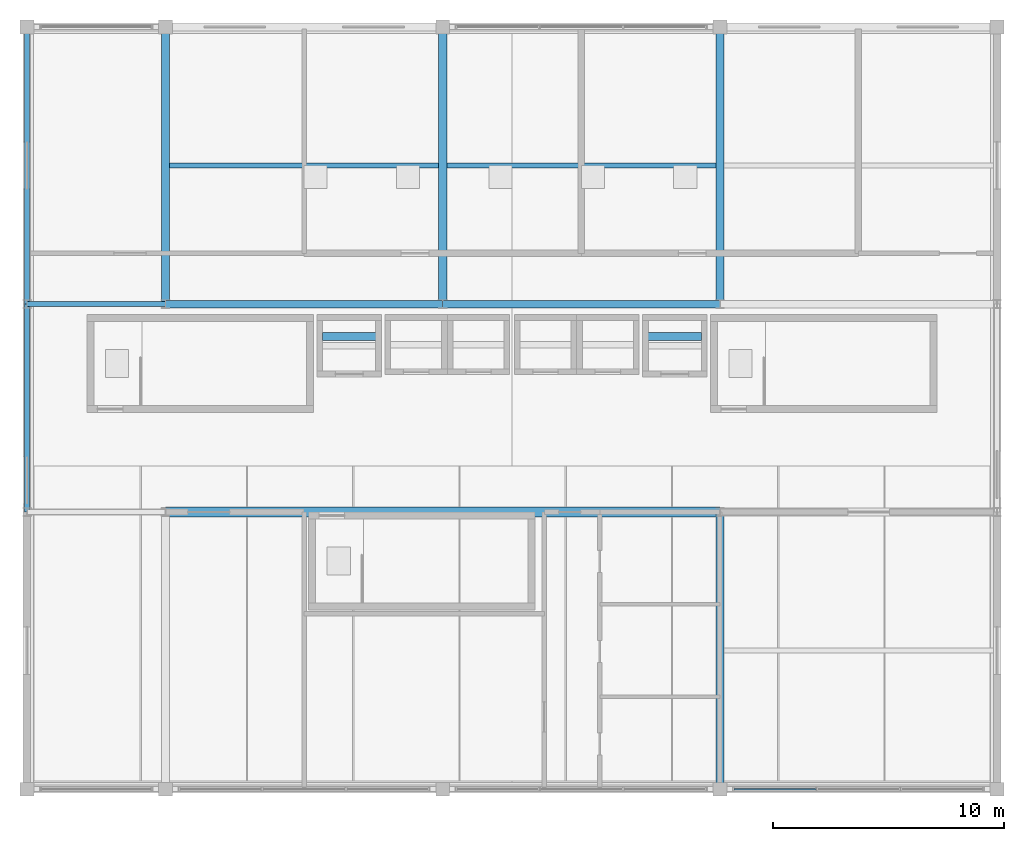
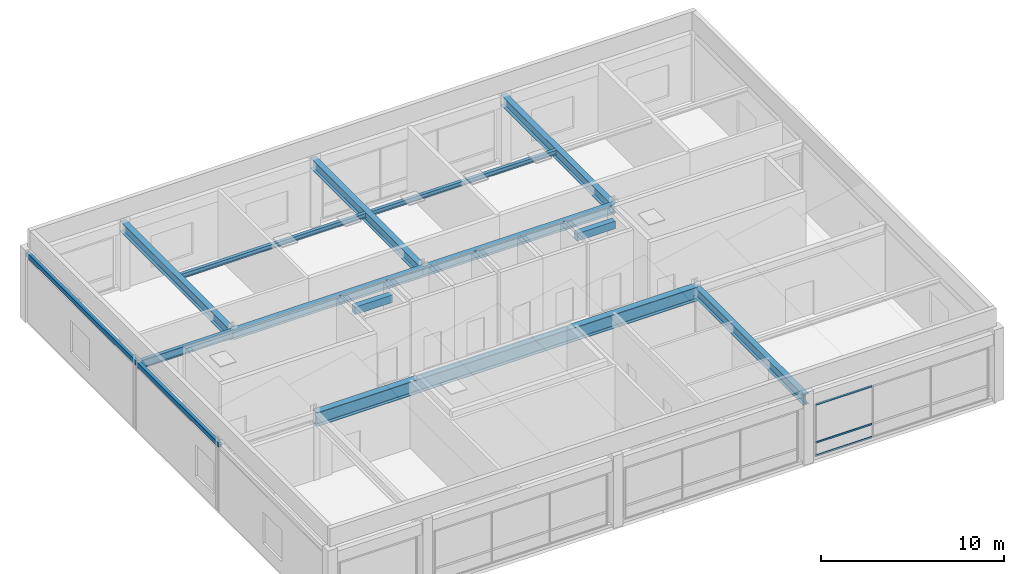
# One storey, part 6 of 16: 14 beams, 3 members, 1 element without a shape of its own.
"""IFC4 building model written with IfcOpenShell, lengths in metres."""

import ifcopenshell
import ifcopenshell.guid

model = None  # the IFC model being written
_history = None  # IfcOwnerHistory: only IFC2X3 demands one
_inside = {}  # id of a spatial element -> (the spatial element, [elements in it])
_under = {}  # id of a project, library or spatial element -> (it, [spatial elements below it])
_declared = {}  # id of a project -> (the project, [libraries it declares])
_typed = {}  # id of a type object -> (the type object, [elements of that type])
_made_of = {}  # id of a material, layer set ... -> (it, [elements and type objects made of it])


def new_model(schema):
    """Start an empty IFC model of exactly this schema.

    Asked for "IFC4X3", IfcOpenShell would pick the latest addendum, in which some entities
    have other attributes; the version numbers below select the first issue.
    IFC2X3 requires an IfcOwnerHistory on every rooted entity: one is made here for all.
    """
    global model, _history
    if schema == "IFC4X3":
        model = ifcopenshell.file(schema_version=(4, 3, 0, 0))
    else:
        model = ifcopenshell.file(schema=schema)
    _inside.clear()
    _under.clear()
    _declared.clear()
    _typed.clear()
    _made_of.clear()
    _history = None
    if model.schema == "IFC2X3":
        org = make("IfcOrganization", Name="unknown")
        user = make(
            "IfcPersonAndOrganization",
            ThePerson=make("IfcPerson", FamilyName="unknown"),
            TheOrganization=org,
        )
        app = make(
            "IfcApplication",
            ApplicationDeveloper=org,
            Version="unknown",
            ApplicationFullName="unknown",
            ApplicationIdentifier="unknown",
        )
        _history = make(
            "IfcOwnerHistory",
            OwningUser=user,
            OwningApplication=app,
            ChangeAction="ADDED",
            CreationDate=0,
        )
    return model


def make(cls, **values):
    """One entity of the class cls with the attributes given. An attribute that is None is left unset."""
    return model.create_entity(
        cls, **{name: value for name, value in values.items() if value is not None}
    )


def rooted(cls, **values):
    """An entity with a GlobalId (a new one), such as an element, a storey or a relation."""
    return make(cls, GlobalId=ifcopenshell.guid.new(), OwnerHistory=_history, **values)


def si_unit(unit_type, name, prefix=None):
    """IfcSIUnit, for example si_unit("LENGTHUNIT", "METRE", prefix="MILLI")."""
    return make("IfcSIUnit", UnitType=unit_type, Prefix=prefix, Name=name)


def assignment(units):
    """IfcUnitAssignment: the units of a project."""
    return None if units is None else make("IfcUnitAssignment", Units=units)


def point(xyz):
    """IfcCartesianPoint."""
    return None if xyz is None else make("IfcCartesianPoint", Coordinates=xyz)


def direction(xyz):
    """IfcDirection."""
    return None if xyz is None else make("IfcDirection", DirectionRatios=xyz)


def frame(location, z_axis=None, x_axis=None):
    """IfcAxis2Placement3D, a coordinate frame: its origin and axes. An axis left out is left unset."""
    return make(
        "IfcAxis2Placement3D",
        Location=point(location),
        Axis=direction(z_axis),
        RefDirection=direction(x_axis),
    )


def frame_2d(location, x_axis=None):
    """IfcAxis2Placement2D, a coordinate frame in the plane: its origin and x axis."""
    return make(
        "IfcAxis2Placement2D", Location=point(location), RefDirection=direction(x_axis)
    )


def origin():
    """The frame at (0, 0, 0) with its axes left unset."""
    return frame((0.0, 0.0, 0.0))


def origin_2d():
    """The frame at (0, 0) in the plane with its x axis left unset."""
    return frame_2d((0.0, 0.0))


def place(relative_to, where):
    """IfcLocalPlacement: puts the frame where relative to a parent placement (None: the world)."""
    return make(
        "IfcLocalPlacement", PlacementRelTo=relative_to, RelativePlacement=where
    )


def context(
    kind, dimensions, precision=None, world=None, true_north=None, identifier=None
):
    """IfcGeometricRepresentationContext, for example the 3D "Model" context."""
    return make(
        "IfcGeometricRepresentationContext",
        ContextIdentifier=identifier,
        ContextType=kind,
        CoordinateSpaceDimension=dimensions,
        Precision=precision,
        WorldCoordinateSystem=world,
        TrueNorth=true_north,
    )


def subcontext(parent, identifier, kind, view, scale=None):
    """IfcGeometricRepresentationSubContext, for example "Body" below "Model"."""
    return make(
        "IfcGeometricRepresentationSubContext",
        ContextIdentifier=identifier,
        ContextType=kind,
        ParentContext=parent,
        TargetScale=scale,
        TargetView=view,
    )


def project(units=None, contexts=None):
    """IfcProject with its units and contexts."""
    return rooted(
        "IfcProject",
        Name="project",
        RepresentationContexts=contexts,
        UnitsInContext=assignment(units),
    )


def spatial(cls, under=None, at=None, **own):
    """A site, building, storey or space (cls), placed at a placement, below another one or the project."""
    s = rooted(cls, ObjectPlacement=at, **own)
    if under is not None:
        _under.setdefault(under.id(), (under, []))[1].append(s)
    return s


def profile(cls, at=None, kind="AREA", **sizes):
    """A parametric profile (cls). Its sizes go by their IFC names, for example OverallWidth=200.0."""
    return make(cls, ProfileType=kind, Position=at, **sizes)


def rectangle(**sizes):
    """IfcRectangleProfileDef."""
    return profile("IfcRectangleProfileDef", **sizes)


def hollow_rectangle(**sizes):
    """IfcRectangleHollowProfileDef."""
    return profile("IfcRectangleHollowProfileDef", **sizes)


def i_section(**sizes):
    """IfcIShapeProfileDef."""
    return profile("IfcIShapeProfileDef", **sizes)


def extrude(swept, where, along, depth):
    """IfcExtrudedAreaSolid: the profile swept, set in the frame where, extruded along a direction by depth."""
    return make(
        "IfcExtrudedAreaSolid",
        SweptArea=swept,
        Position=where,
        ExtrudedDirection=direction(along),
        Depth=depth,
    )


def shape(context_of_items, identifier, shape_type, items):
    """IfcShapeRepresentation: the items that make up one representation, for example the "Body"."""
    return make(
        "IfcShapeRepresentation",
        ContextOfItems=context_of_items,
        RepresentationIdentifier=identifier,
        RepresentationType=shape_type,
        Items=items,
    )


def material(Name=None, Category=None):
    """IfcMaterial."""
    return make("IfcMaterial", Name=Name, Category=Category)


def material_profile(
    of_material, cross_section, Name=None, Category=None, Priority=None
):
    """IfcMaterialProfile: a cross section and its material."""
    return make(
        "IfcMaterialProfile",
        Name=Name,
        Material=of_material,
        Profile=cross_section,
        Priority=Priority,
        Category=Category,
    )


def profile_set(profiles, Name=None, composite=None):
    """IfcMaterialProfileSet."""
    return make(
        "IfcMaterialProfileSet",
        Name=Name,
        MaterialProfiles=profiles,
        CompositeProfile=composite,
    )


def made_of(thing, what):
    """Note that an element or type object is made of a material, layer set ...; save() writes the relation."""
    if what is not None:
        _made_of.setdefault(what.id(), (what, []))[1].append(thing)
    return thing


def type_object(cls, material=None, **own):
    """A type object (cls), such as IfcWallType, which elements share."""
    return made_of(rooted(cls, **own), material)


def element(
    cls,
    number,
    at=None,
    inside=None,
    cuts=None,
    type_object=None,
    material=None,
    context=None,
    identifier="Body",
    shape_type=None,
    held_by="IfcProductDefinitionShape",
    body=None,
    shapes=None,
    **own,
):
    """One element of the class cls, such as IfcWall. Its Tag is "e" and its number.

    at: its placement. inside: the storey or other place that contains it. cuts: it is an
    opening in that element (IfcRelVoidsElement). A single representation is given by context,
    identifier, shape_type and body (its items); several are given by shapes. held_by: the class
    of the entity that holds the representations. save() writes the other relations.
    """
    e = rooted(cls, Tag="e%d" % number, ObjectPlacement=at, **own)
    if body is not None:
        shapes = [shape(context, identifier, shape_type, body)]
    if shapes is not None:
        e.Representation = make(held_by, Representations=shapes)
    if inside is not None:
        _inside.setdefault(inside.id(), (inside, []))[1].append(e)
    if cuts is not None:
        rooted(
            "IfcRelVoidsElement", RelatingBuildingElement=cuts, RelatedOpeningElement=e
        )
    if type_object is not None:
        _typed.setdefault(type_object.id(), (type_object, []))[1].append(e)
    return made_of(e, material)


def aggregate(whole, parts):
    """IfcRelAggregates: a whole, such as a stair, and the parts it consists of."""
    return rooted("IfcRelAggregates", RelatingObject=whole, RelatedObjects=parts)


def save(model, path):
    """Write the relations noted so far, then the file.

    IfcRelAggregates (storeys below a building ...), IfcRelContainedInSpatialStructure (elements
    in a storey), IfcRelDefinesByType, IfcRelAssociatesMaterial and IfcRelDeclares: one each for
    every whole, place, type object, material and project.
    """
    for whole, parts in _under.values():
        aggregate(whole, parts)
    for where, things in _inside.values():
        rooted(
            "IfcRelContainedInSpatialStructure",
            RelatedElements=things,
            RelatingStructure=where,
        )
    for kind, things in _typed.values():
        rooted("IfcRelDefinesByType", RelatedObjects=things, RelatingType=kind)
    for what, things in _made_of.values():
        rooted("IfcRelAssociatesMaterial", RelatedObjects=things, RelatingMaterial=what)
    for by, libraries in _declared.values():
        rooted("IfcRelDeclares", RelatingContext=by, RelatedDefinitions=libraries)
    model.write(path)


model = new_model("IFC4")

# Units and contexts
model_context = context("Model", 3, precision=1e-05, world=origin(), true_north=direction((0.0, 1.0)))
body_context = subcontext(model_context, "Body", "Model", "MODEL_VIEW")
ifc_project = project(units=[si_unit("LENGTHUNIT", "METRE"), si_unit("AREAUNIT", "SQUARE_METRE"), si_unit("VOLUMEUNIT", "CUBIC_METRE"), si_unit("PLANEANGLEUNIT", "RADIAN"), si_unit("MASSUNIT", "GRAM", prefix="KILO")], contexts=[model_context])

# Site, building, storey
site_placement = place(None, origin())
site = spatial("IfcSite", under=ifc_project, at=site_placement, CompositionType="ELEMENT")
building_placement = place(site_placement, origin())
building = spatial("IfcBuilding", under=site, at=building_placement, Name="Kaldorvane Square Convention Centre", CompositionType="ELEMENT")
storey_placement = place(building_placement, frame((0.0, 0.0, 70.80000305175781)))
storey = spatial("IfcBuildingStorey", under=building, at=storey_placement, Name="L17", CompositionType="ELEMENT", Elevation=70.80000305175781)

# Beams
ifc_material_1 = material(Name="Steel ASTM A992 Gr. 50", Category="steel")
ifc_material_profile_1 = material_profile(ifc_material_1, i_section(OverallWidth=0.213897705078125, OverallDepth=0.549102783203125, WebThickness=0.0146942138671875, FlangeThickness=0.0236053466796875, FilletRadius=0.0126953125, at=origin_2d()), Name="W21X93")
ifc_profile_set_1 = profile_set([ifc_material_profile_1], Name="Steel ASTM A992 Gr. 50")
beam_type_1 = type_object("IfcBeamType", Name="BM-GR-W21X93", PredefinedType="BEAM", material=ifc_profile_set_1)
beam_1_placement = place(storey_placement, frame((36.0, 105.0, 4.2014007568359375), z_axis=(1.0, 0.0, 0.0), x_axis=(0.0, 1.0, 0.0)))
element("IfcBeam", 1, at=beam_1_placement, inside=storey, type_object=beam_type_1, Name="Primary Girder (L17)", PredefinedType="BEAM", context=body_context, shape_type="SweptSolid", body=[
    extrude(i_section(OverallWidth=0.213897705078125, OverallDepth=0.549102783203125, WebThickness=0.0146942138671875, FlangeThickness=0.0236053466796875, FilletRadius=0.0126953125, at=origin_2d()), origin(), (0.0, 0.0, 1.0), 6.0),
])
ifc_material_profile_2 = material_profile(ifc_material_1, i_section(OverallWidth=0.326507568359375, OverallDepth=0.621795654296875, WebThickness=0.0153961181640625, FlangeThickness=0.0243988037109375, FilletRadius=0.0126953125, at=origin_2d()), Name="W24X131")
ifc_profile_set_2 = profile_set([ifc_material_profile_2], Name="Steel ASTM A992 Gr. 50")
beam_type_2 = type_object("IfcBeamType", Name="BM-GR-W24X131", PredefinedType="BEAM", material=ifc_profile_set_2)
for number, where, z_axis, x_axis, name in (
    (2, (42.0, 105.0, 4.16510009765625), (1.0, 0.0, 0.0), (0.0, 1.0, 0.0), "Primary Girder (L17)"),
    (3, (54.0, 105.0, 4.16510009765625), (1.0, 0.0, 0.0), (0.0, 1.0, 0.0), "Primary Girder (L17)"),
):
    element("IfcBeam", number, at=place(storey_placement, frame(where, z_axis=z_axis, x_axis=x_axis)), inside=storey, type_object=beam_type_2, Name=name, PredefinedType="BEAM", context=body_context, shape_type="SweptSolid", body=[
        extrude(i_section(OverallWidth=0.326507568359375, OverallDepth=0.621795654296875, WebThickness=0.0153961181640625, FlangeThickness=0.0243988037109375, FilletRadius=0.0126953125, at=origin_2d()), origin(), (0.0, 0.0, 1.0), 12.0),
    ])
ifc_material_profile_3 = material_profile(ifc_material_1, i_section(OverallWidth=0.354705810546875, OverallDepth=0.69549560546875, WebThickness=0.0153961181640625, FlangeThickness=0.0251007080078125, FilletRadius=0.01519775390625, at=origin_2d()), Name="W27X146")
ifc_profile_set_3 = profile_set([ifc_material_profile_3], Name="Steel ASTM A992 Gr. 50")
beam_type_3 = type_object("IfcBeamType", Name="BM-GR-W27X146", PredefinedType="BEAM", material=ifc_profile_set_3)
for number, where, z_axis, x_axis, name in (
    (4, (42.0, 105.0, 4.128204345703125), (0.0, 1.0, 0.0), (-1.0, 0.0, 0.0), "Transverse Girder (L17)"),
    (5, (54.0, 105.0, 4.128204345703125), (0.0, 1.0, 0.0), (-1.0, 0.0, 0.0), "Transverse Girder (L17)"),
    (6, (66.0, 84.0, 4.128204345703125), (0.0, 1.0, 0.0), (-1.0, 0.0, 0.0), "Transverse Girder (L17)"),
    (7, (66.0, 105.0, 4.128204345703125), (0.0, 1.0, 0.0), (-1.0, 0.0, 0.0), "Transverse Girder (L17)"),
):
    element("IfcBeam", number, at=place(storey_placement, frame(where, z_axis=z_axis, x_axis=x_axis)), inside=storey, type_object=beam_type_3, Name=name, PredefinedType="BEAM", context=body_context, shape_type="SweptSolid", body=[
        extrude(i_section(OverallWidth=0.354705810546875, OverallDepth=0.69549560546875, WebThickness=0.0153961181640625, FlangeThickness=0.0251007080078125, FilletRadius=0.01519775390625, at=origin_2d()), origin(), (0.0, 0.0, 1.0), 12.0),
    ])
ifc_material_profile_4 = material_profile(ifc_material_1, i_section(OverallWidth=0.418304443359375, OverallDepth=0.926605224609375, WebThickness=0.0193023681640625, FlangeThickness=0.0319976806640625, FilletRadius=0.0240936279296875, at=origin_2d()), Name="W36X231")
ifc_profile_set_4 = profile_set([ifc_material_profile_4], Name="Steel ASTM A992 Gr. 50")
beam_type_4 = type_object("IfcBeamType", Name="BM-GR-W36X231", PredefinedType="BEAM", material=ifc_profile_set_4)
beam_2_placement = place(storey_placement, frame((42.0, 96.0, 4.0126953125), z_axis=(1.0, 0.0, 0.0), x_axis=(0.0, 1.0, 0.0)))
element("IfcBeam", 8, at=beam_2_placement, inside=storey, type_object=beam_type_4, Name="Primary Girder (L17)", PredefinedType="BEAM", context=body_context, shape_type="SweptSolid", body=[
    extrude(i_section(OverallWidth=0.418304443359375, OverallDepth=0.926605224609375, WebThickness=0.0193023681640625, FlangeThickness=0.0319976806640625, FilletRadius=0.0240936279296875, at=origin_2d()), origin(), (0.0, 0.0, 1.0), 24.0),
])
ifc_material_profile_5 = material_profile(ifc_material_1, i_section(OverallWidth=0.2032928466796875, OverallDepth=0.3032989501953125, WebThickness=0.00750732421875, FlangeThickness=0.0131072998046875, FilletRadius=0.01019287109375, at=origin_2d()), Name="W12X40")
ifc_profile_set_5 = profile_set([ifc_material_profile_5], Name="Steel ASTM A992 Gr. 50")
beam_type_5 = type_object("IfcBeamType", Name="BM-JS-W12X40", PredefinedType="JOIST", material=ifc_profile_set_5)
beam_3_placement = place(storey_placement, frame((42.17730712890625, 111.0, 4.3242950439453125), z_axis=(1.0, 0.0, 0.0), x_axis=(0.0, 1.0, 0.0)))
element("IfcBeam", 9, at=beam_3_placement, inside=storey, type_object=beam_type_5, Name="Secondary Floor Joist (L17)", PredefinedType="JOIST", context=body_context, shape_type="SweptSolid", body=[
    extrude(i_section(OverallWidth=0.2032928466796875, OverallDepth=0.3032989501953125, WebThickness=0.00750732421875, FlangeThickness=0.0131072998046875, FilletRadius=0.01019287109375, at=origin_2d()), origin(), (0.0, 0.0, 1.0), 11.6453857421875),
])
beam_4_placement = place(storey_placement, frame((54.17730712890625, 111.0, 4.3242950439453125), z_axis=(1.0, 0.0, 0.0), x_axis=(0.0, 1.0, 0.0)))
element("IfcBeam", 10, at=beam_4_placement, inside=storey, type_object=beam_type_5, Name="Secondary Floor Joist (L17)", PredefinedType="JOIST", context=body_context, shape_type="SweptSolid", body=[
    extrude(i_section(OverallWidth=0.2032928466796875, OverallDepth=0.3032989501953125, WebThickness=0.00750732421875, FlangeThickness=0.0131072998046875, FilletRadius=0.01019287109375, at=origin_2d()), origin(), (0.0, 0.0, 1.0), 11.645294189453125),
])
ifc_material_2 = material(Name="Concrete f'c = 42 MPa (Normalweight)", Category="concrete")
ifc_material_profile_6 = material_profile(ifc_material_2, rectangle(XDim=0.350006103515625, YDim=0.5, at=origin_2d()), Name="RCLN500X350")
ifc_profile_set_6 = profile_set([ifc_material_profile_6], Name="Concrete f'c = 42 MPa (Normalweight)")
beam_type_6 = type_object("IfcBeamType", Name="BM-LN-RC500", PredefinedType="LINTEL", material=ifc_profile_set_6)
for number, where, z_axis, x_axis, name in (
    (11, (48.80000305175781, 103.60000610351562, 4.2480010986328125), (1.0, 0.0, 0.0), (0.0, 1.0, 0.0), "Core Coupling Lintel W (L17)"),
    (12, (62.80000305175781, 103.60000610351562, 4.2480010986328125), (1.0, 0.0, 0.0), (0.0, 1.0, 0.0), "Core Coupling Lintel E (L17)"),
):
    element("IfcBeam", number, at=place(storey_placement, frame(where, z_axis=z_axis, x_axis=x_axis)), inside=storey, type_object=beam_type_6, Name=name, PredefinedType="LINTEL", context=body_context, shape_type="SweptSolid", body=[
        extrude(rectangle(XDim=0.350006103515625, YDim=0.5, at=origin_2d()), origin(), (0.0, 0.0, 1.0), 2.399993896484375),
    ])
ifc_material_3 = material(Name="Steel ASTM A500 Gr. C", Category="steel")
ifc_material_profile_7 = material_profile(ifc_material_3, hollow_rectangle(XDim=0.2032012939453125, YDim=0.3047943115234375, WallThickness=0.0088958740234375, at=origin_2d()), Name="HSS12X8X3/8")
ifc_profile_set_7 = profile_set([ifc_material_profile_7], Name="Steel ASTM A500 Gr. C")
beam_type_7 = type_object("IfcBeamType", Name="BM-SP-HSS12", PredefinedType="SPANDREL", material=ifc_profile_set_7)
beam_5_placement = place(storey_placement, frame((36.0, 96.0, 4.3235931396484375), z_axis=(0.0, 1.0, 0.0), x_axis=(-1.0, 0.0, 0.0)))
element("IfcBeam", 13, at=beam_5_placement, inside=storey, type_object=beam_type_7, Name="End Spandrel (L17)", PredefinedType="SPANDREL", context=body_context, shape_type="SweptSolid", body=[
    extrude(hollow_rectangle(XDim=0.2032012939453125, YDim=0.3047943115234375, WallThickness=0.0088958740234375, at=origin_2d()), origin(), (0.0, 0.0, 1.0), 9.0),
])
beam_6_placement = place(storey_placement, frame((36.0, 105.0, 4.3235931396484375), z_axis=(0.0, 1.0, 0.0), x_axis=(-1.0, 0.0, 0.0)))
element("IfcBeam", 14, at=beam_6_placement, inside=storey, type_object=beam_type_7, Name="End Spandrel (L17)", PredefinedType="SPANDREL", context=body_context, shape_type="SweptSolid", body=[
    extrude(hollow_rectangle(XDim=0.2032012939453125, YDim=0.3047943115234375, WallThickness=0.0088958740234375, at=origin_2d()), origin(), (0.0, 0.0, 1.0), 12.0),
])

# Curtain wall, members
ifc_material_4 = material(Name="Anodized Aluminum and Low-E Insulated Glazing", Category="aluminium")
curtain_wall_type = type_object("IfcCurtainWallType", Name="CW-UNI-PNT-12", PredefinedType="USERDEFINED", material=ifc_material_4)
curtain_wall_placement = place(storey_placement, origin())
curtain_wall = element("IfcCurtainWall", 15, at=curtain_wall_placement, inside=storey, type_object=curtain_wall_type, Name="Curtain Wall CW-12 (L17)", ObjectType="UNITISED GLAZING", PredefinedType="USERDEFINED")
ifc_material_profile_8 = material_profile(ifc_material_4, hollow_rectangle(XDim=0.05499267578125, YDim=0.1199951171875, WallThickness=0.0030059814453125, at=origin_2d()), Name="CWT-120X55")
ifc_profile_set_8 = profile_set([ifc_material_profile_8], Name="Anodized Aluminum and Low-E Insulated Glazing")
member_type = type_object("IfcMemberType", Name="CW-TRN-120", PredefinedType="USERDEFINED", material=ifc_profile_set_8)
member_1_placement = place(storey_placement, frame((66.61000061035156, 84.0, 0.177490234375), z_axis=(1.0, 0.0, 0.0), x_axis=(0.0, 1.0, 0.0)))
member_1 = element("IfcMember", 16, at=member_1_placement, type_object=member_type, Name="CW-12 transom 1.1", ObjectType="TRANSOM", PredefinedType="USERDEFINED", context=body_context, shape_type="SweptSolid", body=[
    extrude(hollow_rectangle(XDim=0.05499267578125, YDim=0.1199951171875, WallThickness=0.0030059814453125, at=origin_2d()), origin(), (0.0, 0.0, 1.0), 3.5433349609375),
])
member_2_placement = place(storey_placement, frame((66.61000061035156, 84.0, 1.0500030517578125), z_axis=(1.0, 0.0, 0.0), x_axis=(0.0, 1.0, 0.0)))
member_2 = element("IfcMember", 17, at=member_2_placement, type_object=member_type, Name="CW-12 transom 1.2", ObjectType="TRANSOM", PredefinedType="USERDEFINED", context=body_context, shape_type="SweptSolid", body=[
    extrude(hollow_rectangle(XDim=0.05499267578125, YDim=0.1199951171875, WallThickness=0.0030059814453125, at=origin_2d()), origin(), (0.0, 0.0, 1.0), 3.5433349609375),
])
member_3_placement = place(storey_placement, frame((66.61000061035156, 84.0, 3.5724945068359375), z_axis=(1.0, 0.0, 0.0), x_axis=(0.0, 1.0, 0.0)))
member_3 = element("IfcMember", 18, at=member_3_placement, type_object=member_type, Name="CW-12 transom 1.3", ObjectType="TRANSOM", PredefinedType="USERDEFINED", context=body_context, shape_type="SweptSolid", body=[
    extrude(hollow_rectangle(XDim=0.05499267578125, YDim=0.1199951171875, WallThickness=0.0030059814453125, at=origin_2d()), origin(), (0.0, 0.0, 1.0), 3.5433349609375),
])
aggregate(curtain_wall, [member_1, member_2, member_3])

save(model, "model.ifc")
